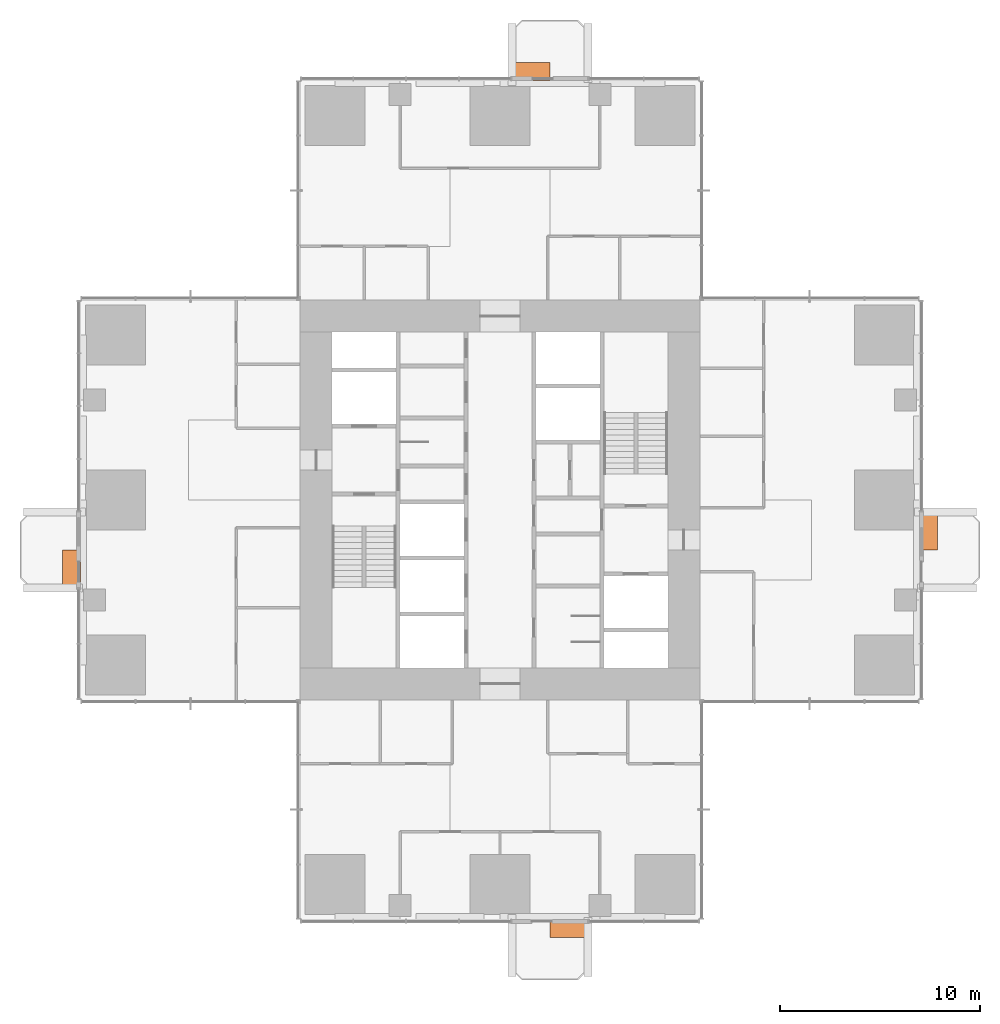
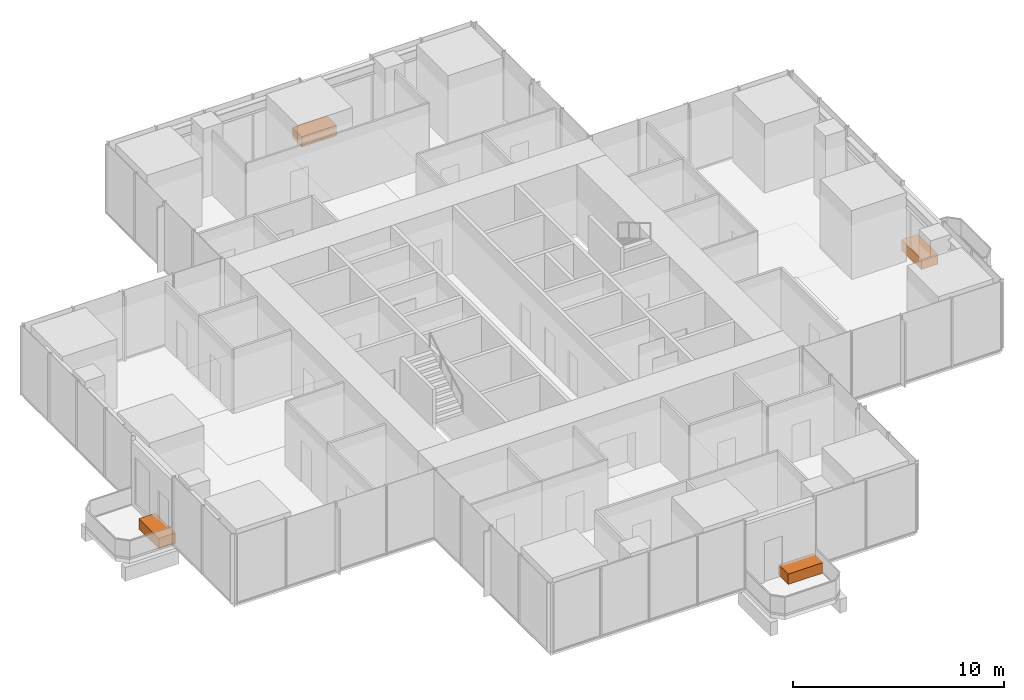
# One storey, part 13 of 13: 4 proxies.
"""IFC4 building model written with IfcOpenShell, lengths in metres."""

from ifc_helpers import new_model, si_unit, direction, frame, origin, origin_2d, place, context, subcontext, project, spatial, rectangle, extrude, element, save


model = new_model("IFC4")

# Units and contexts
model_context = context("Model", 3, precision=1e-05, world=origin(), true_north=direction((0.0, 1.0)))
body_context = subcontext(model_context, "Body", "Model", "MODEL_VIEW")
ifc_project = project(units=[si_unit("LENGTHUNIT", "METRE"), si_unit("AREAUNIT", "SQUARE_METRE"), si_unit("VOLUMEUNIT", "CUBIC_METRE"), si_unit("PLANEANGLEUNIT", "RADIAN"), si_unit("MASSUNIT", "GRAM", prefix="KILO")], contexts=[model_context])

# Site, building, storey
site_placement = place(None, origin())
site = spatial("IfcSite", under=ifc_project, at=site_placement, CompositionType="ELEMENT")
building_placement = place(site_placement, origin())
building = spatial("IfcBuilding", under=site, at=building_placement, Name="Svetlomir Tower", CompositionType="ELEMENT")
storey_placement = place(building_placement, frame((0.0, 0.0, 128.5)))
storey = spatial("IfcBuildingStorey", under=building, at=storey_placement, Name="L30", CompositionType="ELEMENT", Elevation=128.5)

# Proxies
proxy_1_placement = place(storey_placement, frame((24.449951171875, -0.449951171875, 0.0400390625), z_axis=(0.0, 0.0, 1.0), x_axis=(1.0, 0.0, 0.0)))
element("IfcBuildingElementProxy", 1, at=proxy_1_placement, inside=storey, Name="Tree planter S L30", ObjectType="PLANTER", PredefinedType="USERDEFINED", context=body_context, shape_type="SweptSolid", body=[
    extrude(rectangle(XDim=1.89990234375, YDim=0.89990234375, at=origin_2d()), origin(), (0.0, 0.0, 1.0), 0.60009765625),
])
proxy_2_placement = place(storey_placement, frame((42.449951171875, 19.449951171875, 0.0400390625), z_axis=(0.0, 0.0, 1.0), x_axis=(1.0, 0.0, 0.0)))
element("IfcBuildingElementProxy", 2, at=proxy_2_placement, inside=storey, Name="Tree planter E L30", ObjectType="PLANTER", PredefinedType="USERDEFINED", context=body_context, shape_type="SweptSolid", body=[
    extrude(rectangle(XDim=0.89990234375, YDim=1.89990234375, at=origin_2d()), origin(), (0.0, 0.0, 1.0), 0.60009765625),
])
proxy_3_placement = place(storey_placement, frame((22.550048828125, 42.449951171875, 0.0400390625), z_axis=(0.0, 0.0, 1.0), x_axis=(1.0, 0.0, 0.0)))
element("IfcBuildingElementProxy", 3, at=proxy_3_placement, inside=storey, Name="Tree planter N L30", ObjectType="PLANTER", PredefinedType="USERDEFINED", context=body_context, shape_type="SweptSolid", body=[
    extrude(rectangle(XDim=1.89990234375, YDim=0.89990234375, at=origin_2d()), origin(), (0.0, 0.0, 1.0), 0.60009765625),
])
proxy_4_placement = place(storey_placement, frame((-0.449951171875, 17.550048828125, 0.0400390625), z_axis=(0.0, 0.0, 1.0), x_axis=(1.0, 0.0, 0.0)))
element("IfcBuildingElementProxy", 4, at=proxy_4_placement, inside=storey, Name="Tree planter W L30", ObjectType="PLANTER", PredefinedType="USERDEFINED", context=body_context, shape_type="SweptSolid", body=[
    extrude(rectangle(XDim=0.89990234375, YDim=1.89990234375, at=origin_2d()), origin(), (0.0, 0.0, 1.0), 0.60009765625),
])

save(model, "model.ifc")
